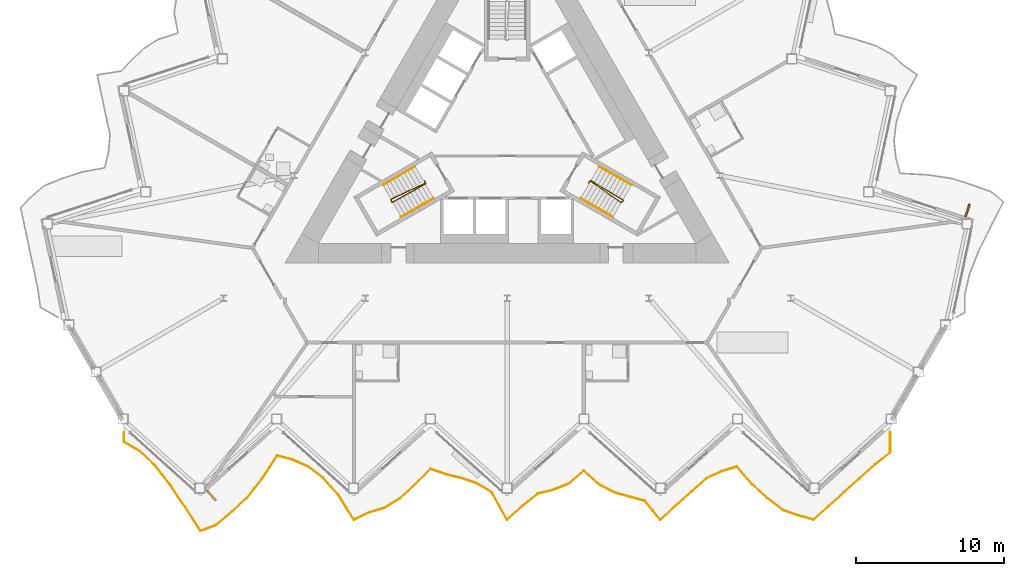
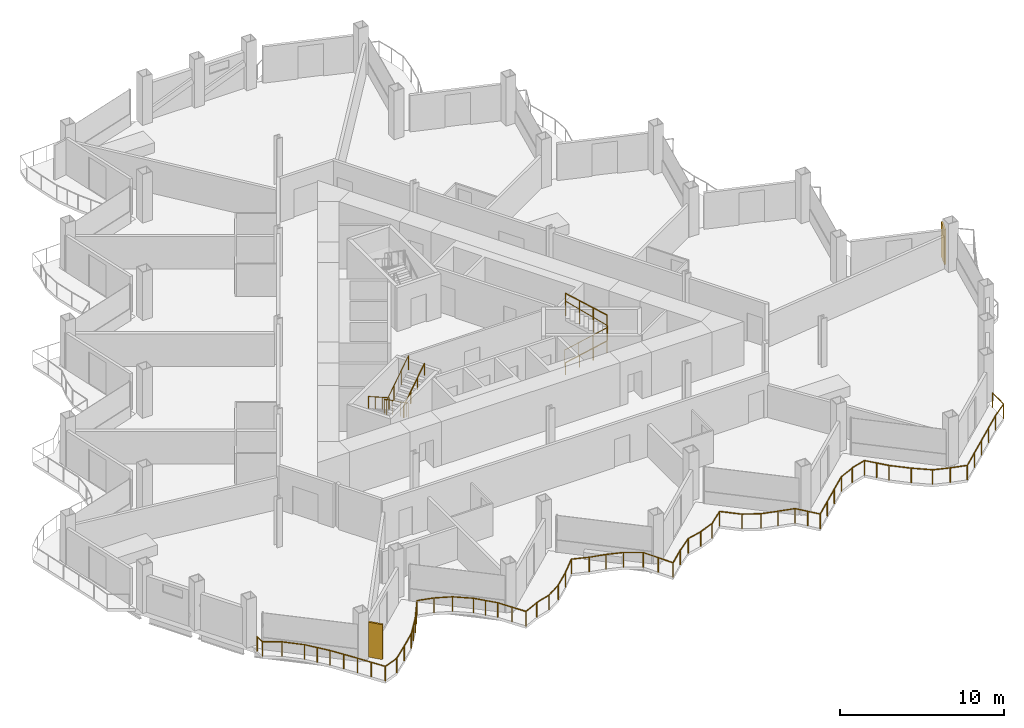
# One storey, part 19 of 23: 7 railings, 2 shading devices.
"""IFC4 building model written with IfcOpenShell, lengths in metres."""

from ifc_helpers import new_model, si_unit, direction, frame, origin, origin_2d, place, context, subcontext, project, spatial, rectangle, circle, extrude, material, layer, layer_set, type_object, element, save


model = new_model("IFC4")

# Units and contexts
model_context = context("Model", 3, precision=1e-05, world=origin(), true_north=direction((0.0, 1.0)))
body_context = subcontext(model_context, "Body", "Model", "MODEL_VIEW")
ifc_project = project(units=[si_unit("LENGTHUNIT", "METRE"), si_unit("AREAUNIT", "SQUARE_METRE"), si_unit("VOLUMEUNIT", "CUBIC_METRE"), si_unit("PLANEANGLEUNIT", "RADIAN"), si_unit("MASSUNIT", "GRAM", prefix="KILO")], contexts=[model_context])

# Site, building, storey
site_placement = place(None, origin())
site = spatial("IfcSite", under=ifc_project, at=site_placement, CompositionType="ELEMENT")
building_placement = place(site_placement, origin())
building = spatial("IfcBuilding", under=site, at=building_placement, Name="Cormorant Prow Tower", CompositionType="ELEMENT")
storey_placement = place(building_placement, frame((0.0, 0.0, 241.800048828125)))
storey = spatial("IfcBuildingStorey", under=building, at=storey_placement, Name="L53", CompositionType="ELEMENT", Elevation=241.800048828125)

# Railings
ifc_material_1 = material(Name="Aluminium 6063-T6", Category="aluminium")
railing_type_1 = type_object("IfcRailingType", Name="Balcony guard 1100", PredefinedType="GUARDRAIL", material=ifc_material_1)
railing_1_placement = place(storey_placement, frame((-25.87841796875, -20.13818359375, 0.0)))
element("IfcRailing", 1, at=railing_1_placement, inside=storey, type_object=railing_type_1, Name="Balcony guard S", PredefinedType="GUARDRAIL", context=body_context, shape_type="SweptSolid", body=[
    extrude(circle(Radius=0.02392578125, at=origin_2d()), frame((0.0, 0.0, 1.076171875), z_axis=(0.0, -1.0, 0.0), x_axis=(1.0, 0.0, 0.0)), (0.0, 0.0, 1.0), 0.63623046875),
    extrude(circle(Radius=0.02392578125, at=origin_2d()), frame((0.0, -0.63623046875, 1.076171875), z_axis=(0.864731790858, -0.502233939394, 0.0), x_axis=(0.502233939394, 0.864731790858, 0.0)), (0.0, 0.0, 1.0), 1.19677734375),
    extrude(circle(Radius=0.02392578125, at=origin_2d()), frame((1.034912109375, -1.2373046875, 1.076171875), z_axis=(0.734783516972, -0.67830169039, 0.0), x_axis=(0.67830169039, 0.734783516972, 0.0)), (0.0, 0.0, 1.0), 1.4091796875),
    extrude(circle(Radius=0.02392578125, at=origin_2d()), frame((2.0703125, -2.193115234375, 1.076171875), z_axis=(0.621882143602, -0.783110847498, 0.0), x_axis=(0.783110847498, 0.621882143602, 0.0)), (0.0, 0.0, 1.0), 1.6640625),
    extrude(circle(Radius=0.02392578125, at=origin_2d()), frame((3.105224609375, -3.496337890625, 1.076171875), z_axis=(0.557245233894, -0.830347968807, 0.0), x_axis=(0.830347968807, 0.557245233894, 0.0)), (0.0, 0.0, 1.0), 1.857666015625),
    extrude(circle(Radius=0.02392578125, at=origin_2d()), frame((4.140380859375, -5.038818359375, 1.076171875), z_axis=(0.542301653449, -0.840183858846, 0.0), x_axis=(0.840183858846, 0.542301653449, 0.0)), (0.0, 0.0, 1.0), 1.908935546875),
    extrude(circle(Radius=0.02392578125, at=origin_2d()), frame((5.175537109375, -6.642578125, 1.076171875), z_axis=(0.93413827097, 0.356911320512, 0.0), x_axis=(-0.356911320512, 0.93413827097, 0.0)), (0.0, 0.0, 1.0), 1.108154296875),
    extrude(circle(Radius=0.02392578125, at=origin_2d()), frame((6.210693359375, -6.2470703125, 1.076171875), z_axis=(0.761584658057, 0.648065435441, 0.0), x_axis=(-0.648065435441, 0.761584658057, 0.0)), (0.0, 0.0, 1.0), 1.359130859375),
    extrude(circle(Radius=0.02392578125, at=origin_2d()), frame((7.245849609375, -5.3662109375, 1.076171875), z_axis=(0.743119825219, 0.669158370916, 0.0), x_axis=(-0.669158370916, 0.743119825219, 0.0)), (0.0, 0.0, 1.0), 1.39306640625),
    extrude(circle(Radius=0.02392578125, at=origin_2d()), frame((8.281005859375, -4.43408203125, 1.076171875), z_axis=(0.622186479432, 0.782869072587, 0.0), x_axis=(-0.782869072587, 0.622186479432, 0.0)), (0.0, 0.0, 1.0), 1.663818359375),
    extrude(circle(Radius=0.02392578125, at=origin_2d()), frame((9.316162109375, -3.131591796875, 1.076171875), z_axis=(0.548772346659, 0.835971836573, 0.0), x_axis=(-0.835971836573, 0.548772346659, 0.0)), (0.0, 0.0, 1.0), 1.88623046875),
    extrude(circle(Radius=0.02392578125, at=origin_2d()), frame((10.351318359375, -1.5546875, 1.076171875), z_axis=(0.965988710951, -0.2585842422, 0.0), x_axis=(0.2585842422, 0.965988710951, 0.0)), (0.0, 0.0, 1.0), 1.071533203125),
    extrude(circle(Radius=0.02392578125, at=origin_2d()), frame((11.386474609375, -1.831787109375, 1.076171875), z_axis=(0.914486230803, -0.404617020987, 0.0), x_axis=(0.404617020987, 0.914486230803, 0.0)), (0.0, 0.0, 1.0), 1.1318359375),
    extrude(circle(Radius=0.02392578125, at=origin_2d()), frame((12.421630859375, -2.289794921875, 1.076171875), z_axis=(0.7996377542, -0.60048269089, 0.0), x_axis=(0.60048269089, 0.7996377542, 0.0)), (0.0, 0.0, 1.0), 1.29443359375),
    extrude(circle(Radius=0.02392578125, at=origin_2d()), frame((13.456787109375, -3.067138671875, 1.076171875), z_axis=(0.671568341198, -0.740942617954, 0.0), x_axis=(0.740942617954, 0.671568341198, 0.0)), (0.0, 0.0, 1.0), 1.54150390625),
    extrude(circle(Radius=0.02392578125, at=origin_2d()), frame((14.491943359375, -4.209228515625, 1.076171875), z_axis=(0.526645354626, -0.850085096005, 0.0), x_axis=(0.850085096005, 0.526645354626, 0.0)), (0.0, 0.0, 1.0), 1.965576171875),
    extrude(circle(Radius=0.02392578125, at=origin_2d()), frame((15.527099609375, -5.880126953125, 1.076171875), z_axis=(0.90332085821, 0.428965531393, 0.0), x_axis=(-0.428965531393, 0.90332085821, 0.0)), (0.0, 0.0, 1.0), 1.145751953125),
    extrude(circle(Radius=0.02392578125, at=origin_2d()), frame((16.56201171875, -5.388671875, 1.076171875), z_axis=(0.958834598019, 0.283965162724, 0.0), x_axis=(-0.283965162724, 0.958834598019, 0.0)), (0.0, 0.0, 1.0), 1.079833984375),
    extrude(circle(Radius=0.02392578125, at=origin_2d()), frame((17.597412109375, -5.08203125, 1.076171875), z_axis=(0.847582419617, 0.530663774867, 0.0), x_axis=(-0.530663774867, 0.847582419617, 0.0)), (0.0, 0.0, 1.0), 1.220947265625),
    extrude(circle(Radius=0.02392578125, at=origin_2d()), frame((18.63232421875, -4.43408203125, 1.076171875), z_axis=(0.743198288412, 0.669071224984, 0.0), x_axis=(-0.669071224984, 0.743198288412, 0.0)), (0.0, 0.0, 1.0), 1.39306640625),
    extrude(circle(Radius=0.02392578125, at=origin_2d()), frame((19.667724609375, -3.501953125, 1.076171875), z_axis=(0.701871936926, 0.712303154672, 0.0), x_axis=(-0.712303154672, 0.701871936926, 0.0)), (0.0, 0.0, 1.0), 1.474609375),
    extrude(circle(Radius=0.02392578125, at=origin_2d()), frame((20.70263671875, -2.45166015625, 1.076171875), z_axis=(0.943788930542, -0.330548717418, 0.0), x_axis=(0.330548717418, 0.943788930542, 0.0)), (0.0, 0.0, 1.0), 1.096923828125),
    extrude(circle(Radius=0.02392578125, at=origin_2d()), frame((21.73779296875, -2.814208984375, 1.076171875), z_axis=(0.97051833299, -0.241027312415, 0.0), x_axis=(0.241027312415, 0.97051833299, 0.0)), (0.0, 0.0, 1.0), 1.066650390625),
    extrude(circle(Radius=0.02392578125, at=origin_2d()), frame((22.77294921875, -3.0712890625, 1.076171875), z_axis=(0.947830404548, -0.318775037001, 0.0), x_axis=(0.318775037001, 0.947830404548, 0.0)), (0.0, 0.0, 1.0), 1.092041015625),
    extrude(circle(Radius=0.02392578125, at=origin_2d()), frame((23.80810546875, -3.41943359375, 1.076171875), z_axis=(0.861589246456, -0.50760611737, 0.0), x_axis=(0.50760611737, 0.861589246456, 0.0)), (0.0, 0.0, 1.0), 1.201416015625),
    extrude(circle(Radius=0.02392578125, at=origin_2d()), frame((24.84326171875, -4.029296875, 1.076171875), z_axis=(0.488133539836, -0.872768954127, 0.0), x_axis=(0.872768954127, 0.488133539836, 0.0)), (0.0, 0.0, 1.0), 2.12060546875),
    extrude(circle(Radius=0.02392578125, at=origin_2d()), frame((25.87841796875, -5.880126953125, 1.076171875), z_axis=(0.743206981817, 0.669061568301, 0.0), x_axis=(-0.669061568301, 0.743206981817, 0.0)), (0.0, 0.0, 1.0), 1.392822265625),
    extrude(circle(Radius=0.02392578125, at=origin_2d()), frame((26.91357421875, -4.9482421875, 1.076171875), z_axis=(0.782666453868, 0.622441340199, 0.0), x_axis=(-0.622441340199, 0.782666453868, 0.0)), (0.0, 0.0, 1.0), 1.322509765625),
    extrude(circle(Radius=0.02392578125, at=origin_2d()), frame((27.94873046875, -4.125, 1.076171875), z_axis=(0.969493451379, 0.245117212235, 0.0), x_axis=(-0.245117212235, 0.969493451379, 0.0)), (0.0, 0.0, 1.0), 1.067626953125),
    extrude(circle(Radius=0.02392578125, at=origin_2d()), frame((28.98388671875, -3.86328125, 1.076171875), z_axis=(0.932367359596, 0.361512249806, 0.0), x_axis=(-0.361512249806, 0.932367359596, 0.0)), (0.0, 0.0, 1.0), 1.1103515625),
    extrude(circle(Radius=0.02392578125, at=origin_2d()), frame((30.01904296875, -3.4619140625, 1.076171875), z_axis=(0.757601893747, 0.652716914589, 0.0), x_axis=(-0.652716914589, 0.757601893747, 0.0)), (0.0, 0.0, 1.0), 1.366455078125),
    extrude(circle(Radius=0.02392578125, at=origin_2d()), frame((31.05419921875, -2.570068359375, 1.076171875), z_axis=(0.743128501462, -0.66914873557, 0.0), x_axis=(0.66914873557, 0.743128501462, 0.0)), (0.0, 0.0, 1.0), 1.392578125),
    extrude(circle(Radius=0.02392578125, at=origin_2d()), frame((32.089111328125, -3.501953125, 1.076171875), z_axis=(0.884411054708, -0.466708781051, 0.0), x_axis=(0.466708781051, 0.884411054708, 0.0)), (0.0, 0.0, 1.0), 1.170654296875),
    extrude(circle(Radius=0.02392578125, at=origin_2d()), frame((33.12451171875, -4.04833984375, 1.076171875), z_axis=(0.964305649487, -0.264791643313, 0.0), x_axis=(0.264791643313, 0.964305649487, 0.0)), (0.0, 0.0, 1.0), 1.0732421875),
    extrude(circle(Radius=0.02392578125, at=origin_2d()), frame((34.159423828125, -4.33251953125, 1.076171875), z_axis=(0.96537578836, -0.26086315809, 0.0), x_axis=(0.26086315809, 0.96537578836, 0.0)), (0.0, 0.0, 1.0), 1.072509765625),
    extrude(circle(Radius=0.02392578125, at=origin_2d()), frame((35.19482421875, -4.6123046875, 1.076171875), z_axis=(0.632360047149, -0.774674622516, 0.0), x_axis=(0.774674622516, 0.632360047149, 0.0)), (0.0, 0.0, 1.0), 1.636474609375),
    extrude(circle(Radius=0.02392578125, at=origin_2d()), frame((36.229736328125, -5.880126953125, 1.076171875), z_axis=(0.743206981817, 0.669061568301, 0.0), x_axis=(-0.669061568301, 0.743206981817, 0.0)), (0.0, 0.0, 1.0), 1.392822265625),
    extrude(circle(Radius=0.02392578125, at=origin_2d()), frame((37.264892578125, -4.9482421875, 1.076171875), z_axis=(0.743119825219, 0.669158370916, 0.0), x_axis=(-0.669158370916, 0.743119825219, 0.0)), (0.0, 0.0, 1.0), 1.39306640625),
    extrude(circle(Radius=0.02392578125, at=origin_2d()), frame((38.300048828125, -4.01611328125, 1.076171875), z_axis=(0.743206981817, 0.669061568301, 0.0), x_axis=(-0.669061568301, 0.743206981817, 0.0)), (0.0, 0.0, 1.0), 1.392822265625),
    extrude(circle(Radius=0.02392578125, at=origin_2d()), frame((39.335205078125, -3.084228515625, 1.076171875), z_axis=(0.909335405661, 0.416063841269, 0.0), x_axis=(-0.416063841269, 0.909335405661, 0.0)), (0.0, 0.0, 1.0), 1.138427734375),
    extrude(circle(Radius=0.02392578125, at=origin_2d()), frame((40.370361328125, -2.610595703125, 1.076171875), z_axis=(0.957888441811, 0.287140615458, 0.0), x_axis=(-0.287140615458, 0.957888441811, 0.0)), (0.0, 0.0, 1.0), 1.08056640625),
    extrude(circle(Radius=0.02392578125, at=origin_2d()), frame((41.405517578125, -2.30029296875, 1.076171875), z_axis=(0.652665528351, -0.757646162864, 0.0), x_axis=(0.757646162864, 0.652665528351, 0.0)), (0.0, 0.0, 1.0), 1.5859375),
    extrude(circle(Radius=0.02392578125, at=origin_2d()), frame((42.440673828125, -3.501953125, 1.076171875), z_axis=(0.743119825219, -0.669158370916, 0.0), x_axis=(0.669158370916, 0.743119825219, 0.0)), (0.0, 0.0, 1.0), 1.39306640625),
    extrude(circle(Radius=0.02392578125, at=origin_2d()), frame((43.475830078125, -4.43408203125, 1.076171875), z_axis=(0.790685851487, -0.612222087366, 0.0), x_axis=(0.612222087366, 0.790685851487, 0.0)), (0.0, 0.0, 1.0), 1.30908203125),
    extrude(circle(Radius=0.02392578125, at=origin_2d()), frame((44.510986328125, -5.235595703125, 1.076171875), z_axis=(0.945240232719, -0.326375401109, 0.0), x_axis=(0.326375401109, 0.945240232719, 0.0)), (0.0, 0.0, 1.0), 1.09521484375),
    extrude(circle(Radius=0.02392578125, at=origin_2d()), frame((45.546142578125, -5.593017578125, 1.076171875), z_axis=(0.96362202887, -0.267268751404, 0.0), x_axis=(0.267268751404, 0.96362202887, 0.0)), (0.0, 0.0, 1.0), 1.07421875),
    extrude(circle(Radius=0.02392578125, at=origin_2d()), frame((46.581298828125, -5.880126953125, 1.076171875), z_axis=(0.743206981817, 0.669061568301, 0.0), x_axis=(-0.669061568301, 0.743206981817, 0.0)), (0.0, 0.0, 1.0), 1.392822265625),
    extrude(circle(Radius=0.02392578125, at=origin_2d()), frame((47.616455078125, -4.9482421875, 1.076171875), z_axis=(0.743119825219, 0.669158370916, 0.0), x_axis=(-0.669158370916, 0.743119825219, 0.0)), (0.0, 0.0, 1.0), 1.39306640625),
    extrude(circle(Radius=0.02392578125, at=origin_2d()), frame((48.651611328125, -4.01611328125, 1.076171875), z_axis=(0.743128501462, 0.66914873557, 0.0), x_axis=(-0.66914873557, 0.743128501462, 0.0)), (0.0, 0.0, 1.0), 1.392578125),
    extrude(circle(Radius=0.02392578125, at=origin_2d()), frame((49.6865234375, -3.084228515625, 1.076171875), z_axis=(0.743198288412, 0.669071224984, 0.0), x_axis=(-0.669071224984, 0.743198288412, 0.0)), (0.0, 0.0, 1.0), 1.39306640625),
    extrude(circle(Radius=0.02392578125, at=origin_2d()), frame((50.721923828125, -2.152099609375, 1.076171875), z_axis=(0.789261978019, 0.614056617954, 0.0), x_axis=(-0.614056617954, 0.789261978019, 0.0)), (0.0, 0.0, 1.0), 1.311279296875),
    extrude(circle(Radius=0.02392578125, at=origin_2d()), frame((51.7568359375, -1.346923828125, 1.076171875), z_axis=(0.0, 1.0, 0.0), x_axis=(-1.0, 0.0, 0.0)), (0.0, 0.0, 1.0), 1.346923828125),
    extrude(circle(Radius=0.02099609375, at=origin_2d()), origin(), (0.0, 0.0, 1.0), 1.052001953125),
    extrude(circle(Radius=0.02099609375, at=origin_2d()), frame((0.0, -0.63623046875, 0.0)), (0.0, 0.0, 1.0), 1.052001953125),
    extrude(circle(Radius=0.02099609375, at=origin_2d()), frame((1.034912109375, -1.2373046875, 0.0)), (0.0, 0.0, 1.0), 1.052001953125),
    extrude(circle(Radius=0.02099609375, at=origin_2d()), frame((2.0703125, -2.193115234375, 0.0)), (0.0, 0.0, 1.0), 1.052001953125),
    extrude(circle(Radius=0.02099609375, at=origin_2d()), frame((2.587890625, -2.8447265625, 0.0)), (0.0, 0.0, 1.0), 1.052001953125),
    extrude(circle(Radius=0.02099609375, at=origin_2d()), frame((3.105224609375, -3.496337890625, 0.0)), (0.0, 0.0, 1.0), 1.052001953125),
    extrude(circle(Radius=0.02099609375, at=origin_2d()), frame((3.622802734375, -4.267578125, 0.0)), (0.0, 0.0, 1.0), 1.052001953125),
    extrude(circle(Radius=0.02099609375, at=origin_2d()), frame((4.140380859375, -5.038818359375, 0.0)), (0.0, 0.0, 1.0), 1.052001953125),
    extrude(circle(Radius=0.02099609375, at=origin_2d()), frame((4.657958984375, -5.8408203125, 0.0)), (0.0, 0.0, 1.0), 1.052001953125),
    extrude(circle(Radius=0.02099609375, at=origin_2d()), frame((5.175537109375, -6.642578125, 0.0)), (0.0, 0.0, 1.0), 1.052001953125),
    extrude(circle(Radius=0.02099609375, at=origin_2d()), frame((6.210693359375, -6.2470703125, 0.0)), (0.0, 0.0, 1.0), 1.052001953125),
    extrude(circle(Radius=0.02099609375, at=origin_2d()), frame((7.245849609375, -5.3662109375, 0.0)), (0.0, 0.0, 1.0), 1.052001953125),
    extrude(circle(Radius=0.02099609375, at=origin_2d()), frame((8.281005859375, -4.43408203125, 0.0)), (0.0, 0.0, 1.0), 1.052001953125),
    extrude(circle(Radius=0.02099609375, at=origin_2d()), frame((8.798583984375, -3.78271484375, 0.0)), (0.0, 0.0, 1.0), 1.052001953125),
    extrude(circle(Radius=0.02099609375, at=origin_2d()), frame((9.316162109375, -3.131591796875, 0.0)), (0.0, 0.0, 1.0), 1.052001953125),
    extrude(circle(Radius=0.02099609375, at=origin_2d()), frame((9.833740234375, -2.34326171875, 0.0)), (0.0, 0.0, 1.0), 1.052001953125),
    extrude(circle(Radius=0.02099609375, at=origin_2d()), frame((10.351318359375, -1.5546875, 0.0)), (0.0, 0.0, 1.0), 1.052001953125),
    extrude(circle(Radius=0.02099609375, at=origin_2d()), frame((11.386474609375, -1.831787109375, 0.0)), (0.0, 0.0, 1.0), 1.052001953125),
    extrude(circle(Radius=0.02099609375, at=origin_2d()), frame((12.421630859375, -2.289794921875, 0.0)), (0.0, 0.0, 1.0), 1.052001953125),
    extrude(circle(Radius=0.02099609375, at=origin_2d()), frame((13.456787109375, -3.067138671875, 0.0)), (0.0, 0.0, 1.0), 1.052001953125),
    extrude(circle(Radius=0.02099609375, at=origin_2d()), frame((13.974365234375, -3.63818359375, 0.0)), (0.0, 0.0, 1.0), 1.052001953125),
    extrude(circle(Radius=0.02099609375, at=origin_2d()), frame((14.491943359375, -4.209228515625, 0.0)), (0.0, 0.0, 1.0), 1.052001953125),
    extrude(circle(Radius=0.02099609375, at=origin_2d()), frame((15.009521484375, -5.044677734375, 0.0)), (0.0, 0.0, 1.0), 1.052001953125),
    extrude(circle(Radius=0.02099609375, at=origin_2d()), frame((15.527099609375, -5.880126953125, 0.0)), (0.0, 0.0, 1.0), 1.052001953125),
    extrude(circle(Radius=0.02099609375, at=origin_2d()), frame((16.56201171875, -5.388671875, 0.0)), (0.0, 0.0, 1.0), 1.052001953125),
    extrude(circle(Radius=0.02099609375, at=origin_2d()), frame((17.597412109375, -5.08203125, 0.0)), (0.0, 0.0, 1.0), 1.052001953125),
    extrude(circle(Radius=0.02099609375, at=origin_2d()), frame((18.63232421875, -4.43408203125, 0.0)), (0.0, 0.0, 1.0), 1.052001953125),
    extrude(circle(Radius=0.02099609375, at=origin_2d()), frame((19.667724609375, -3.501953125, 0.0)), (0.0, 0.0, 1.0), 1.052001953125),
    extrude(circle(Radius=0.02099609375, at=origin_2d()), frame((20.70263671875, -2.45166015625, 0.0)), (0.0, 0.0, 1.0), 1.052001953125),
    extrude(circle(Radius=0.02099609375, at=origin_2d()), frame((21.73779296875, -2.814208984375, 0.0)), (0.0, 0.0, 1.0), 1.052001953125),
    extrude(circle(Radius=0.02099609375, at=origin_2d()), frame((22.77294921875, -3.0712890625, 0.0)), (0.0, 0.0, 1.0), 1.052001953125),
    extrude(circle(Radius=0.02099609375, at=origin_2d()), frame((23.80810546875, -3.41943359375, 0.0)), (0.0, 0.0, 1.0), 1.052001953125),
    extrude(circle(Radius=0.02099609375, at=origin_2d()), frame((24.84326171875, -4.029296875, 0.0)), (0.0, 0.0, 1.0), 1.052001953125),
    extrude(circle(Radius=0.02099609375, at=origin_2d()), frame((25.36083984375, -4.95458984375, 0.0)), (0.0, 0.0, 1.0), 1.052001953125),
    extrude(circle(Radius=0.02099609375, at=origin_2d()), frame((25.87841796875, -5.880126953125, 0.0)), (0.0, 0.0, 1.0), 1.052001953125),
    extrude(circle(Radius=0.02099609375, at=origin_2d()), frame((26.91357421875, -4.9482421875, 0.0)), (0.0, 0.0, 1.0), 1.052001953125),
    extrude(circle(Radius=0.02099609375, at=origin_2d()), frame((27.94873046875, -4.125, 0.0)), (0.0, 0.0, 1.0), 1.052001953125),
    extrude(circle(Radius=0.02099609375, at=origin_2d()), frame((28.98388671875, -3.86328125, 0.0)), (0.0, 0.0, 1.0), 1.052001953125),
    extrude(circle(Radius=0.02099609375, at=origin_2d()), frame((30.01904296875, -3.4619140625, 0.0)), (0.0, 0.0, 1.0), 1.052001953125),
    extrude(circle(Radius=0.02099609375, at=origin_2d()), frame((31.05419921875, -2.570068359375, 0.0)), (0.0, 0.0, 1.0), 1.052001953125),
    extrude(circle(Radius=0.02099609375, at=origin_2d()), frame((32.089111328125, -3.501953125, 0.0)), (0.0, 0.0, 1.0), 1.052001953125),
    extrude(circle(Radius=0.02099609375, at=origin_2d()), frame((33.12451171875, -4.04833984375, 0.0)), (0.0, 0.0, 1.0), 1.052001953125),
    extrude(circle(Radius=0.02099609375, at=origin_2d()), frame((34.159423828125, -4.33251953125, 0.0)), (0.0, 0.0, 1.0), 1.052001953125),
    extrude(circle(Radius=0.02099609375, at=origin_2d()), frame((35.19482421875, -4.6123046875, 0.0)), (0.0, 0.0, 1.0), 1.052001953125),
    extrude(circle(Radius=0.02099609375, at=origin_2d()), frame((35.71240234375, -5.24609375, 0.0)), (0.0, 0.0, 1.0), 1.052001953125),
    extrude(circle(Radius=0.02099609375, at=origin_2d()), frame((36.229736328125, -5.880126953125, 0.0)), (0.0, 0.0, 1.0), 1.052001953125),
    extrude(circle(Radius=0.02099609375, at=origin_2d()), frame((37.264892578125, -4.9482421875, 0.0)), (0.0, 0.0, 1.0), 1.052001953125),
    extrude(circle(Radius=0.02099609375, at=origin_2d()), frame((38.300048828125, -4.01611328125, 0.0)), (0.0, 0.0, 1.0), 1.052001953125),
    extrude(circle(Radius=0.02099609375, at=origin_2d()), frame((39.335205078125, -3.084228515625, 0.0)), (0.0, 0.0, 1.0), 1.052001953125),
    extrude(circle(Radius=0.02099609375, at=origin_2d()), frame((40.370361328125, -2.610595703125, 0.0)), (0.0, 0.0, 1.0), 1.052001953125),
    extrude(circle(Radius=0.02099609375, at=origin_2d()), frame((41.405517578125, -2.30029296875, 0.0)), (0.0, 0.0, 1.0), 1.052001953125),
    extrude(circle(Radius=0.02099609375, at=origin_2d()), frame((41.923095703125, -2.901123046875, 0.0)), (0.0, 0.0, 1.0), 1.052001953125),
    extrude(circle(Radius=0.02099609375, at=origin_2d()), frame((42.440673828125, -3.501953125, 0.0)), (0.0, 0.0, 1.0), 1.052001953125),
    extrude(circle(Radius=0.02099609375, at=origin_2d()), frame((43.475830078125, -4.43408203125, 0.0)), (0.0, 0.0, 1.0), 1.052001953125),
    extrude(circle(Radius=0.02099609375, at=origin_2d()), frame((44.510986328125, -5.235595703125, 0.0)), (0.0, 0.0, 1.0), 1.052001953125),
    extrude(circle(Radius=0.02099609375, at=origin_2d()), frame((45.546142578125, -5.593017578125, 0.0)), (0.0, 0.0, 1.0), 1.052001953125),
    extrude(circle(Radius=0.02099609375, at=origin_2d()), frame((46.581298828125, -5.880126953125, 0.0)), (0.0, 0.0, 1.0), 1.052001953125),
    extrude(circle(Radius=0.02099609375, at=origin_2d()), frame((47.616455078125, -4.9482421875, 0.0)), (0.0, 0.0, 1.0), 1.052001953125),
    extrude(circle(Radius=0.02099609375, at=origin_2d()), frame((48.651611328125, -4.01611328125, 0.0)), (0.0, 0.0, 1.0), 1.052001953125),
    extrude(circle(Radius=0.02099609375, at=origin_2d()), frame((49.6865234375, -3.084228515625, 0.0)), (0.0, 0.0, 1.0), 1.052001953125),
    extrude(circle(Radius=0.02099609375, at=origin_2d()), frame((50.721923828125, -2.152099609375, 0.0)), (0.0, 0.0, 1.0), 1.052001953125),
    extrude(circle(Radius=0.02099609375, at=origin_2d()), frame((51.7568359375, -1.346923828125, 0.0)), (0.0, 0.0, 1.0), 1.052001953125),
    extrude(circle(Radius=0.02099609375, at=origin_2d()), frame((51.7568359375, 0.0, 0.0)), (0.0, 0.0, 1.0), 1.052001953125),
])
ifc_material_2 = material(Name="Stainless steel", Category="steel")
railing_type_2 = type_object("IfcRailingType", Name="Stair guard 1100", PredefinedType="GUARDRAIL", material=ifc_material_2)
railing_2_placement = place(storey_placement, frame((-5.585205078125, -3.137939453125, 0.0)))
element("IfcRailing", 2, at=railing_2_placement, inside=storey, type_object=railing_type_2, Name="L53 ST1 stair guard 1", PredefinedType="GUARDRAIL", context=body_context, shape_type="SweptSolid", body=[
    extrude(circle(Radius=0.02392578125, at=origin_2d()), frame((0.0, 0.0, 1.076171875), z_axis=(0.501036270542, -0.865426285481, 0.0), x_axis=(0.865426285481, 0.501036270542, 0.0)), (0.0, 0.0, 1.0), 0.150146484375),
    extrude(circle(Radius=0.02392578125, at=origin_2d()), frame((0.0751953125, -0.1298828125, 1.076171875), z_axis=(-0.739707038506, -0.353624380995, 0.572523619033), x_axis=(0.431308035802, -0.902204731895, 0.0)), (0.0, 0.0, 1.0), 3.14404296875),
    extrude(circle(Radius=0.02392578125, at=origin_2d()), frame((-2.25048828125, -1.24169921875, 2.8759765625), z_axis=(0.274721127897, -0.961523947641, 0.0), x_axis=(0.961523947641, 0.274721127897, 0.0)), (0.0, 0.0, 1.0), 0.2060546875),
    extrude(circle(Radius=0.02392578125, at=origin_2d()), frame((-2.19384765625, -1.43994140625, 2.8759765625), z_axis=(0.717255481879, 0.395700334183, 0.573555419504), x_axis=(-0.483052234887, 0.87559153626, 0.0)), (0.0, 0.0, 1.0), 3.137939453125),
    extrude(circle(Radius=0.02099609375, at=origin_2d()), origin(), (0.0, 0.0, 1.0), 1.052001953125),
    extrude(circle(Radius=0.02099609375, at=origin_2d()), frame((0.0751953125, -0.1298828125, 0.0)), (0.0, 0.0, 1.0), 1.052001953125),
    extrude(circle(Radius=0.02099609375, at=origin_2d()), frame((-0.699951171875, -0.50048828125, 0.60009765625)), (0.0, 0.0, 1.0), 1.052001953125),
    extrude(circle(Radius=0.02099609375, at=origin_2d()), frame((-1.475341796875, -0.87109375, 1.199951171875)), (0.0, 0.0, 1.0), 1.052001953125),
    extrude(circle(Radius=0.02099609375, at=origin_2d()), frame((-2.25048828125, -1.24169921875, 1.800048828125)), (0.0, 0.0, 1.0), 1.052001953125),
    extrude(circle(Radius=0.02099609375, at=origin_2d()), frame((-2.19384765625, -1.43994140625, 1.800048828125)), (0.0, 0.0, 1.0), 1.052001953125),
    extrude(circle(Radius=0.02099609375, at=origin_2d()), frame((-1.443603515625, -1.026123046875, 2.39990234375)), (0.0, 0.0, 1.0), 1.052001953125),
    extrude(circle(Radius=0.02099609375, at=origin_2d()), frame((-0.693359375, -0.612060546875, 3.0)), (0.0, 0.0, 1.0), 1.052001953125),
    extrude(circle(Radius=0.02099609375, at=origin_2d()), frame((0.056884765625, -0.1982421875, 3.599853515625)), (0.0, 0.0, 1.0), 1.052001953125),
])
railing_3_placement = place(storey_placement, frame((5.510009765625, -3.267822265625, 0.0)))
element("IfcRailing", 3, at=railing_3_placement, inside=storey, type_object=railing_type_2, Name="L53 ST2 stair guard 1", PredefinedType="GUARDRAIL", context=body_context, shape_type="SweptSolid", body=[
    extrude(circle(Radius=0.02392578125, at=origin_2d()), frame((0.0, 0.0, 1.076171875), z_axis=(0.501036270542, 0.865426285481, 0.0), x_axis=(-0.865426285481, 0.501036270542, 0.0)), (0.0, 0.0, 1.0), 0.150146484375),
    extrude(circle(Radius=0.02392578125, at=origin_2d()), frame((0.0751953125, 0.1298828125, 1.076171875), z_axis=(0.676058237057, -0.463829066155, 0.572545070276), x_axis=(0.565732651216, 0.824588726183, 0.0)), (0.0, 0.0, 1.0), 3.14404296875),
    extrude(circle(Radius=0.02392578125, at=origin_2d()), frame((2.20068359375, -1.328369140625, 2.8759765625), z_axis=(0.695164929852, 0.718850276695, 0.0), x_axis=(-0.718850276695, 0.695164929852, 0.0)), (0.0, 0.0, 1.0), 0.2060546875),
    extrude(circle(Radius=0.02392578125, at=origin_2d()), frame((2.343994140625, -1.18017578125, 2.8759765625), z_axis=(-0.701307540925, 0.423320870887, 0.573556599922), x_axis=(-0.516770599887, -0.856123908726, 0.0)), (0.0, 0.0, 1.0), 3.137939453125),
    extrude(circle(Radius=0.02099609375, at=origin_2d()), origin(), (0.0, 0.0, 1.0), 1.052001953125),
    extrude(circle(Radius=0.02099609375, at=origin_2d()), frame((0.0751953125, 0.1298828125, 0.0)), (0.0, 0.0, 1.0), 1.052001953125),
    extrude(circle(Radius=0.02099609375, at=origin_2d()), frame((0.78369140625, -0.356201171875, 0.60009765625)), (0.0, 0.0, 1.0), 1.052001953125),
    extrude(circle(Radius=0.02099609375, at=origin_2d()), frame((1.4921875, -0.84228515625, 1.199951171875)), (0.0, 0.0, 1.0), 1.052001953125),
    extrude(circle(Radius=0.02099609375, at=origin_2d()), frame((2.20068359375, -1.328369140625, 1.800048828125)), (0.0, 0.0, 1.0), 1.052001953125),
    extrude(circle(Radius=0.02099609375, at=origin_2d()), frame((2.343994140625, -1.18017578125, 1.800048828125)), (0.0, 0.0, 1.0), 1.052001953125),
    extrude(circle(Radius=0.02099609375, at=origin_2d()), frame((1.6103515625, -0.7373046875, 2.39990234375)), (0.0, 0.0, 1.0), 1.052001953125),
    extrude(circle(Radius=0.02099609375, at=origin_2d()), frame((0.876953125, -0.294677734375, 3.0)), (0.0, 0.0, 1.0), 1.052001953125),
    extrude(circle(Radius=0.02099609375, at=origin_2d()), frame((0.143310546875, 0.148193359375, 3.599853515625)), (0.0, 0.0, 1.0), 1.052001953125),
])
ifc_material_3 = material(Name="Stainless steel", Category="steel")
railing_type_3 = type_object("IfcRailingType", Name="Stair handrail 900", PredefinedType="HANDRAIL", material=ifc_material_3)
railing_4_placement = place(storey_placement, frame((-6.212890625, -2.150634765625, 0.179931640625)))
element("IfcRailing", 4, at=railing_4_placement, inside=storey, type_object=railing_type_3, Name="L53 ST1 stair handrail 1", PredefinedType="HANDRAIL", context=body_context, shape_type="SweptSolid", body=[
    extrude(circle(Radius=0.02392578125, at=origin_2d()), frame((0.0, 0.0, 0.8759765625), z_axis=(-0.728463801763, -0.420584145978, 0.540785970299), x_axis=(0.500004791531, -0.866022637375, 0.0)), (0.0, 0.0, 1.0), 2.995849609375),
    extrude(circle(Radius=0.02099609375, at=origin_2d()), origin(), (0.0, 0.0, 1.0), 0.851806640625),
    extrude(circle(Radius=0.02099609375, at=origin_2d()), frame((-0.7275390625, -0.419921875, 0.5400390625)), (0.0, 0.0, 1.0), 0.851806640625),
    extrude(circle(Radius=0.02099609375, at=origin_2d()), frame((-1.454833984375, -0.840087890625, 1.080078125)), (0.0, 0.0, 1.0), 0.851806640625),
    extrude(circle(Radius=0.02099609375, at=origin_2d()), frame((-2.182373046875, -1.260009765625, 1.6201171875)), (0.0, 0.0, 1.0), 0.851806640625),
])
railing_5_placement = place(storey_placement, frame((-7.1513671875, -5.565185546875, 1.97998046875)))
element("IfcRailing", 5, at=railing_5_placement, inside=storey, type_object=railing_type_3, Name="L53 ST1 stair handrail 2", PredefinedType="HANDRAIL", context=body_context, shape_type="SweptSolid", body=[
    extrude(circle(Radius=0.02392578125, at=origin_2d()), frame((0.0, 0.0, 0.8759765625), z_axis=(0.72849590497, 0.42060268101, 0.54072830624), x_axis=(-0.500004791531, 0.866022637375, 0.0)), (0.0, 0.0, 1.0), 2.99560546875),
    extrude(circle(Radius=0.02099609375, at=origin_2d()), origin(), (0.0, 0.0, 1.0), 0.851806640625),
    extrude(circle(Radius=0.02099609375, at=origin_2d()), frame((0.7275390625, 0.419921875, 0.5400390625)), (0.0, 0.0, 1.0), 0.851806640625),
    extrude(circle(Radius=0.02099609375, at=origin_2d()), frame((1.454833984375, 0.840087890625, 1.079833984375)), (0.0, 0.0, 1.0), 0.851806640625),
    extrude(circle(Radius=0.02099609375, at=origin_2d()), frame((2.182373046875, 1.260009765625, 1.619873046875)), (0.0, 0.0, 1.0), 0.851806640625),
])
railing_6_placement = place(storey_placement, frame((4.968994140625, -4.30517578125, 0.179931640625)))
element("IfcRailing", 6, at=railing_6_placement, inside=storey, type_object=railing_type_3, Name="L53 ST2 stair handrail 1", PredefinedType="HANDRAIL", context=body_context, shape_type="SweptSolid", body=[
    extrude(circle(Radius=0.02392578125, at=origin_2d()), frame((0.0, 0.0, 0.8759765625), z_axis=(0.728463801763, -0.420584145978, 0.540785970299), x_axis=(0.500004791531, 0.866022637375, 0.0)), (0.0, 0.0, 1.0), 2.995849609375),
    extrude(circle(Radius=0.02099609375, at=origin_2d()), origin(), (0.0, 0.0, 1.0), 0.851806640625),
    extrude(circle(Radius=0.02099609375, at=origin_2d()), frame((0.7275390625, -0.419921875, 0.5400390625)), (0.0, 0.0, 1.0), 0.851806640625),
    extrude(circle(Radius=0.02099609375, at=origin_2d()), frame((1.454833984375, -0.840087890625, 1.080078125)), (0.0, 0.0, 1.0), 0.851806640625),
    extrude(circle(Radius=0.02099609375, at=origin_2d()), frame((2.182373046875, -1.260009765625, 1.6201171875)), (0.0, 0.0, 1.0), 0.851806640625),
])
railing_7_placement = place(storey_placement, frame((8.395263671875, -3.41064453125, 1.97998046875)))
element("IfcRailing", 7, at=railing_7_placement, inside=storey, type_object=railing_type_3, Name="L53 ST2 stair handrail 2", PredefinedType="HANDRAIL", context=body_context, shape_type="SweptSolid", body=[
    extrude(circle(Radius=0.02392578125, at=origin_2d()), frame((0.0, 0.0, 0.8759765625), z_axis=(-0.72849590497, 0.42060268101, 0.54072830624), x_axis=(-0.500004791531, -0.866022637375, 0.0)), (0.0, 0.0, 1.0), 2.99560546875),
    extrude(circle(Radius=0.02099609375, at=origin_2d()), origin(), (0.0, 0.0, 1.0), 0.851806640625),
    extrude(circle(Radius=0.02099609375, at=origin_2d()), frame((-0.7275390625, 0.419921875, 0.5400390625)), (0.0, 0.0, 1.0), 0.851806640625),
    extrude(circle(Radius=0.02099609375, at=origin_2d()), frame((-1.454833984375, 0.840087890625, 1.079833984375)), (0.0, 0.0, 1.0), 0.851806640625),
    extrude(circle(Radius=0.02099609375, at=origin_2d()), frame((-2.182373046875, 1.260009765625, 1.619873046875)), (0.0, 0.0, 1.0), 0.851806640625),
])

# Shading devices
ifc_material_4 = material(Name="Terracotta", Category="masonry")
ifc_layer = layer(ifc_material_4, 0.1201171875)
ifc_layer_set = layer_set([ifc_layer], Name="Terracotta")
shading_device_type = type_object("IfcShadingDeviceType", Name="Terracotta baguette fin 120x900x2600", PredefinedType="USERDEFINED", material=ifc_layer_set)
for number, where, z_axis, x_axis, name in (
    (8, (-19.98486328125, -24.37744140625, 0.0), (0.0, 0.0, 1.0), (0.743144812176, 0.669130621132, 0.0), "Baguette fin S01"),
    (9, (31.10400390625, -5.11865234375, 0.0), (0.0, 0.0, 1.0), (-0.951056546466, 0.30901690152, 0.0), "Baguette fin ENE01"),
):
    element("IfcShadingDevice", number, at=place(storey_placement, frame(where, z_axis=z_axis, x_axis=x_axis)), inside=storey, type_object=shading_device_type, Name=name, ObjectType="BAGUETTE", PredefinedType="USERDEFINED", context=body_context, shape_type="SweptSolid", body=[
        extrude(rectangle(XDim=0.1201171875, YDim=0.89990234375, at=origin_2d()), origin(), (0.0, 0.0, 1.0), 2.60009765625),
    ])

save(model, "model.ifc")
